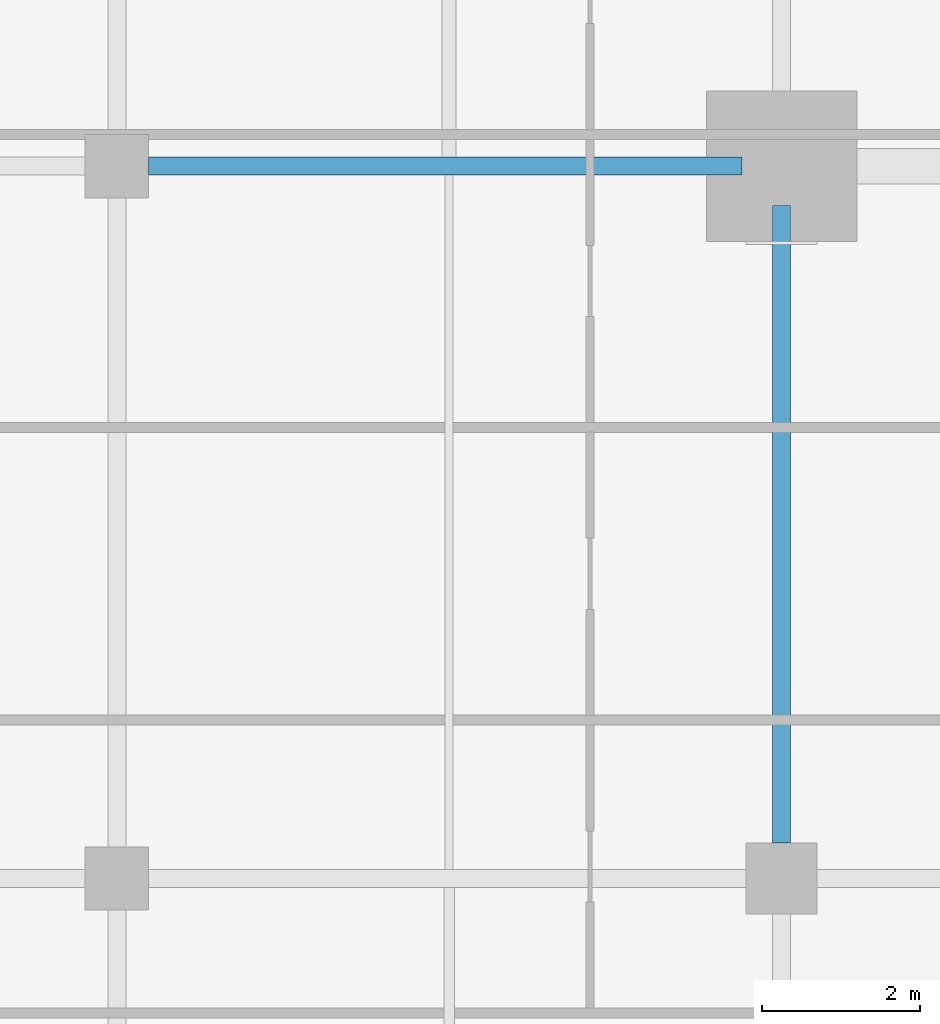
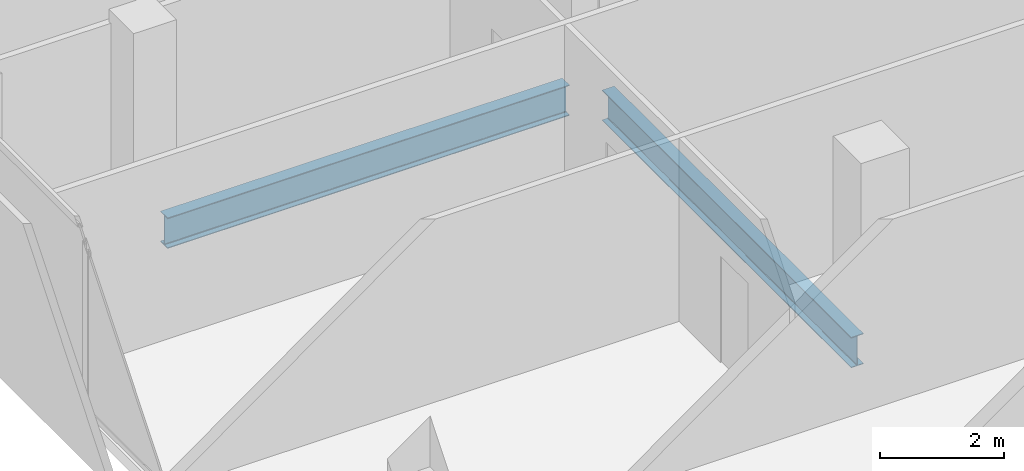
# One storey, part 9 of 34: 2 beams.
"""IFC4 building model written with IfcOpenShell, lengths in metres."""

from ifc_helpers import new_model, si_unit, direction, frame, origin, origin_2d, place, context, subcontext, project, spatial, i_section, extrude, material, material_profile, profile_set, type_object, element, save


model = new_model("IFC4")

# Units and contexts
model_context = context("Model", 3, precision=1e-05, world=origin(), true_north=direction((0.0, 1.0)))
body_context = subcontext(model_context, "Body", "Model", "MODEL_VIEW")
ifc_project = project(units=[si_unit("LENGTHUNIT", "METRE"), si_unit("AREAUNIT", "SQUARE_METRE"), si_unit("VOLUMEUNIT", "CUBIC_METRE"), si_unit("PLANEANGLEUNIT", "RADIAN"), si_unit("MASSUNIT", "GRAM", prefix="KILO")], contexts=[model_context])

# Site, building, storey
site_placement = place(None, origin())
site = spatial("IfcSite", under=ifc_project, at=site_placement, CompositionType="ELEMENT")
building_placement = place(site_placement, origin())
building = spatial("IfcBuilding", under=site, at=building_placement, Name="Maruvema Waterfront Hotel and Observation Tower", CompositionType="ELEMENT")
storey_placement = place(building_placement, frame((0.0, 0.0, 192.85009765625)))
storey = spatial("IfcBuildingStorey", under=building, at=storey_placement, Name="L47", CompositionType="ELEMENT", Elevation=192.85009765625)

# Beams
ifc_material = material(Name="Steel ASTM A572 Grade 50", Category="steel")
ifc_material_profile = material_profile(ifc_material, i_section(OverallWidth=0.22802734375, OverallDepth=0.60302734375, WebThickness=0.010498046875, FlangeThickness=0.014892578125, FilletRadius=0.01806640625, at=origin_2d()), Name="W610x101.0")
ifc_profile_set = profile_set([ifc_material_profile], Name="Steel ASTM A572 Grade 50")
beam_type = type_object("IfcBeamType", Name="Primary Floor Girder W610x101.0", PredefinedType="BEAM", material=ifc_profile_set)
beam_1_placement = place(storey_placement, frame((17.199951171875, 27.0, -0.54150390625), z_axis=(1.0, 0.0, 0.0), x_axis=(0.0, 1.0, 0.0)))
element("IfcBeam", 1, at=beam_1_placement, inside=storey, type_object=beam_type, Name="L47 Floor Girder EW-19", PredefinedType="BEAM", context=body_context, shape_type="SweptSolid", body=[
    extrude(i_section(OverallWidth=0.22802734375, OverallDepth=0.60302734375, WebThickness=0.010498046875, FlangeThickness=0.014892578125, FilletRadius=0.01806640625, at=origin_2d()), origin(), (0.0, 0.0, 1.0), 7.5),
])
beam_2_placement = place(storey_placement, frame((25.199951171875, 18.449951171875, -0.54150390625), z_axis=(0.0, 1.0, 0.0), x_axis=(-1.0, 0.0, 0.0)))
element("IfcBeam", 2, at=beam_2_placement, inside=storey, type_object=beam_type, Name="L47 Floor Girder NS-11", PredefinedType="BEAM", context=body_context, shape_type="SweptSolid", body=[
    extrude(i_section(OverallWidth=0.22802734375, OverallDepth=0.60302734375, WebThickness=0.010498046875, FlangeThickness=0.014892578125, FilletRadius=0.01806640625, at=origin_2d()), origin(), (0.0, 0.0, 1.0), 8.050048828125),
])

save(model, "model.ifc")
